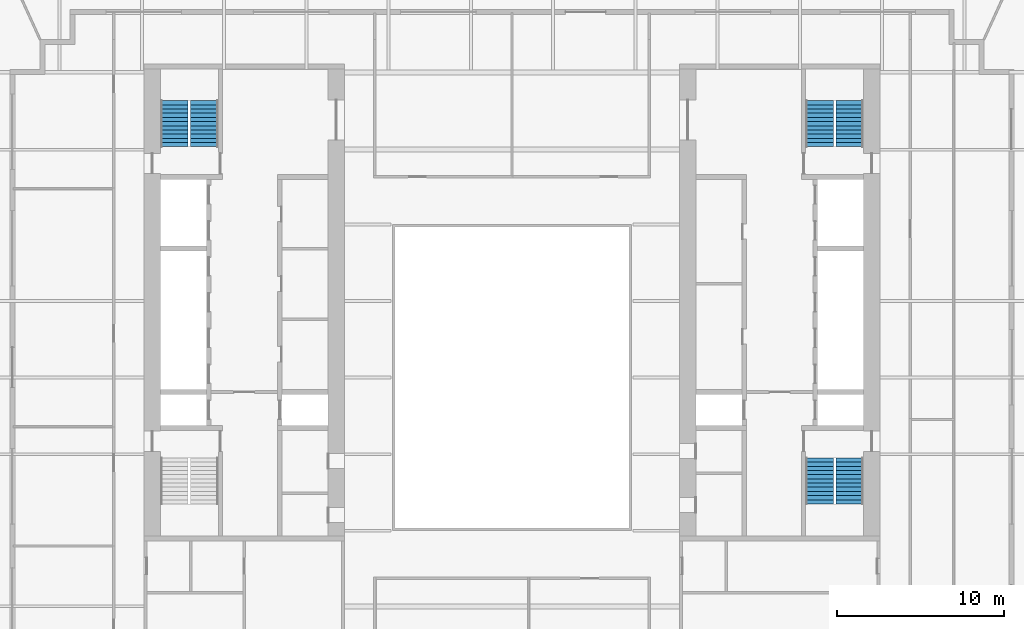
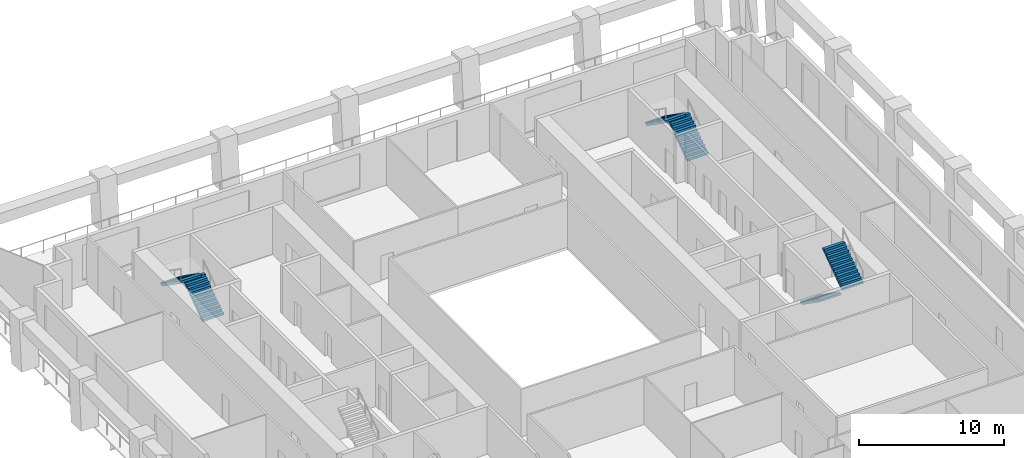
# One storey, part 8 of 10: 6 stair flights, 3 elements without a shape of their own.
"""IFC4 building model written with IfcOpenShell, lengths in metres."""

from ifc_helpers import new_model, si_unit, direction, frame, origin, place, context, subcontext, project, spatial, polyline, outline, extrude, material, type_object, element, aggregate, save


model = new_model("IFC4")

# Units and contexts
model_context = context("Model", 3, precision=1e-05, world=origin(), true_north=direction((0.0, 1.0)))
body_context = subcontext(model_context, "Body", "Model", "MODEL_VIEW")
ifc_project = project(units=[si_unit("LENGTHUNIT", "METRE"), si_unit("AREAUNIT", "SQUARE_METRE"), si_unit("VOLUMEUNIT", "CUBIC_METRE"), si_unit("PLANEANGLEUNIT", "RADIAN"), si_unit("MASSUNIT", "GRAM", prefix="KILO")], contexts=[model_context])

# Site, building, storey
site_placement = place(None, origin())
site = spatial("IfcSite", under=ifc_project, at=site_placement, CompositionType="ELEMENT")
building_placement = place(site_placement, origin())
building = spatial("IfcBuilding", under=site, at=building_placement, Name="Ogive Exchange Tower", CompositionType="ELEMENT")
storey_placement = place(building_placement, frame((0.0, 0.0, 64.800048828125)))
storey = spatial("IfcBuildingStorey", under=building, at=storey_placement, Name="L13", CompositionType="ELEMENT", Elevation=64.800048828125)

# Stair, stair flights
ifc_material = material(Name="Concrete C40/50", Category="concrete")
stair_type = type_object("IfcStairType", Name="Exit stair 1650 wide", PredefinedType="HALF_TURN_STAIR", material=ifc_material)
stair_1_placement = place(storey_placement, origin())
stair_1 = element("IfcStair", 1, at=stair_1_placement, inside=storey, type_object=stair_type, Name="L13 exit stair ST2", PredefinedType="HALF_TURN_STAIR")
stair_flight_type = type_object("IfcStairFlightType", Name="Stair flight 1650 wide", PredefinedType="STRAIGHT", material=ifc_material)
stair_flight_1_placement = place(storey_placement, frame((-18.375, 20.800048828125, 0.0), z_axis=(0.0, 0.0, 1.0), x_axis=(0.0, 1.0, 0.0)))
stair_flight_1 = element("IfcStairFlight", 2, at=stair_flight_1_placement, type_object=stair_flight_type, Name="ST2 flight 1", NumberOfRisers=12, NumberOfTreads=11, PredefinedType="STRAIGHT", RiserHeight=0.175, TreadLength=0.25, context=body_context, shape_type="SweptSolid", body=[
    extrude(outline(polyline([(0.0, 0.0), (0.0, 0.175048828125), (0.25, 0.175048828125), (0.25, 0.35009765625), (0.5, 0.35009765625), (0.5, 0.52490234375), (0.75, 0.52490234375), (0.75, 0.699951171875), (1.0, 0.699951171875), (1.0, 0.875), (1.25, 0.875), (1.25, 1.050048828125), (1.5, 1.050048828125), (1.5, 1.22509765625), (1.75, 1.22509765625), (1.75, 1.39990234375), (2.0, 1.39990234375), (2.0, 1.574951171875), (2.25, 1.574951171875), (2.25, 1.75), (2.5, 1.75), (2.5, 1.925048828125), (2.75, 1.925048828125), (2.75, 2.10009765625), (2.75, 1.741943359375), (0.261474609375, 0.0), (0.0, 0.0)])), frame((0.0, 0.824951171875, 0.0), z_axis=(0.0, -1.0, 0.0), x_axis=(1.0, 0.0, 0.0)), (0.0, 0.0, 1.0), 1.64990234375),
])
stair_flight_2_placement = place(storey_placement, frame((-20.175048828125, 23.550048828125, 2.099853515625), z_axis=(0.0, 0.0, 1.0), x_axis=(0.0, -1.0, 0.0)))
stair_flight_2 = element("IfcStairFlight", 3, at=stair_flight_2_placement, type_object=stair_flight_type, Name="ST2 flight 2", NumberOfRisers=12, NumberOfTreads=11, PredefinedType="STRAIGHT", RiserHeight=0.175, TreadLength=0.25, context=body_context, shape_type="SweptSolid", body=[
    extrude(outline(polyline([(0.0, 0.0), (0.0, 0.175048828125), (0.25, 0.175048828125), (0.25, 0.35009765625), (0.5, 0.35009765625), (0.5, 0.52490234375), (0.75, 0.52490234375), (0.75, 0.699951171875), (1.0, 0.699951171875), (1.0, 0.875), (1.25, 0.875), (1.25, 1.050048828125), (1.5, 1.050048828125), (1.5, 1.22509765625), (1.75, 1.22509765625), (1.75, 1.39990234375), (2.0, 1.39990234375), (2.0, 1.574951171875), (2.25, 1.574951171875), (2.25, 1.75), (2.5, 1.75), (2.5, 1.925048828125), (2.75, 1.925048828125), (2.75, 2.10009765625), (2.75, 1.741943359375), (0.261474609375, 0.0), (0.0, 0.0)])), frame((0.0, 0.824951171875, 0.0), z_axis=(0.0, -1.0, 0.0), x_axis=(1.0, 0.0, 0.0)), (0.0, 0.0, 1.0), 1.64990234375),
])
aggregate(stair_1, [stair_flight_1, stair_flight_2])

stair_2_placement = place(storey_placement, origin())
stair_2 = element("IfcStair", 4, at=stair_2_placement, inside=storey, type_object=stair_type, Name="L13 exit stair ST3", PredefinedType="HALF_TURN_STAIR")
stair_flight_3_placement = place(storey_placement, frame((18.375, 2.199951171875, 0.0), z_axis=(0.0, 0.0, 1.0), x_axis=(0.0, -1.0, 0.0)))
stair_flight_3 = element("IfcStairFlight", 5, at=stair_flight_3_placement, type_object=stair_flight_type, Name="ST3 flight 1", NumberOfRisers=12, NumberOfTreads=11, PredefinedType="STRAIGHT", RiserHeight=0.175, TreadLength=0.25, context=body_context, shape_type="SweptSolid", body=[
    extrude(outline(polyline([(0.0, 0.0), (0.0, 0.175048828125), (0.25, 0.175048828125), (0.25, 0.35009765625), (0.5, 0.35009765625), (0.5, 0.52490234375), (0.75, 0.52490234375), (0.75, 0.699951171875), (1.0, 0.699951171875), (1.0, 0.875), (1.25, 0.875), (1.25, 1.050048828125), (1.5, 1.050048828125), (1.5, 1.22509765625), (1.75, 1.22509765625), (1.75, 1.39990234375), (2.0, 1.39990234375), (2.0, 1.574951171875), (2.25, 1.574951171875), (2.25, 1.75), (2.5, 1.75), (2.5, 1.925048828125), (2.75, 1.925048828125), (2.75, 2.10009765625), (2.75, 1.741943359375), (0.261474609375, 0.0), (0.0, 0.0)])), frame((0.0, 0.824951171875, 0.0), z_axis=(0.0, -1.0, 0.0), x_axis=(1.0, 0.0, 0.0)), (0.0, 0.0, 1.0), 1.64990234375),
])
stair_flight_4_placement = place(storey_placement, frame((20.175048828125, -0.550048828125, 2.099853515625), z_axis=(0.0, 0.0, 1.0), x_axis=(0.0, 1.0, 0.0)))
stair_flight_4 = element("IfcStairFlight", 6, at=stair_flight_4_placement, type_object=stair_flight_type, Name="ST3 flight 2", NumberOfRisers=12, NumberOfTreads=11, PredefinedType="STRAIGHT", RiserHeight=0.175, TreadLength=0.25, context=body_context, shape_type="SweptSolid", body=[
    extrude(outline(polyline([(0.0, 0.0), (0.0, 0.175048828125), (0.25, 0.175048828125), (0.25, 0.35009765625), (0.5, 0.35009765625), (0.5, 0.52490234375), (0.75, 0.52490234375), (0.75, 0.699951171875), (1.0, 0.699951171875), (1.0, 0.875), (1.25, 0.875), (1.25, 1.050048828125), (1.5, 1.050048828125), (1.5, 1.22509765625), (1.75, 1.22509765625), (1.75, 1.39990234375), (2.0, 1.39990234375), (2.0, 1.574951171875), (2.25, 1.574951171875), (2.25, 1.75), (2.5, 1.75), (2.5, 1.925048828125), (2.75, 1.925048828125), (2.75, 2.10009765625), (2.75, 1.741943359375), (0.261474609375, 0.0), (0.0, 0.0)])), frame((0.0, 0.824951171875, 0.0), z_axis=(0.0, -1.0, 0.0), x_axis=(1.0, 0.0, 0.0)), (0.0, 0.0, 1.0), 1.64990234375),
])
aggregate(stair_2, [stair_flight_3, stair_flight_4])

stair_3_placement = place(storey_placement, origin())
stair_3 = element("IfcStair", 7, at=stair_3_placement, inside=storey, type_object=stair_type, Name="L13 exit stair ST4", PredefinedType="HALF_TURN_STAIR")
stair_flight_5_placement = place(storey_placement, frame((20.175048828125, 20.800048828125, 0.0), z_axis=(0.0, 0.0, 1.0), x_axis=(0.0, 1.0, 0.0)))
stair_flight_5 = element("IfcStairFlight", 8, at=stair_flight_5_placement, type_object=stair_flight_type, Name="ST4 flight 1", NumberOfRisers=12, NumberOfTreads=11, PredefinedType="STRAIGHT", RiserHeight=0.175, TreadLength=0.25, context=body_context, shape_type="SweptSolid", body=[
    extrude(outline(polyline([(0.0, 0.0), (0.0, 0.175048828125), (0.25, 0.175048828125), (0.25, 0.35009765625), (0.5, 0.35009765625), (0.5, 0.52490234375), (0.75, 0.52490234375), (0.75, 0.699951171875), (1.0, 0.699951171875), (1.0, 0.875), (1.25, 0.875), (1.25, 1.050048828125), (1.5, 1.050048828125), (1.5, 1.22509765625), (1.75, 1.22509765625), (1.75, 1.39990234375), (2.0, 1.39990234375), (2.0, 1.574951171875), (2.25, 1.574951171875), (2.25, 1.75), (2.5, 1.75), (2.5, 1.925048828125), (2.75, 1.925048828125), (2.75, 2.10009765625), (2.75, 1.741943359375), (0.261474609375, 0.0), (0.0, 0.0)])), frame((0.0, 0.824951171875, 0.0), z_axis=(0.0, -1.0, 0.0), x_axis=(1.0, 0.0, 0.0)), (0.0, 0.0, 1.0), 1.64990234375),
])
stair_flight_6_placement = place(storey_placement, frame((18.375, 23.550048828125, 2.099853515625), z_axis=(0.0, 0.0, 1.0), x_axis=(0.0, -1.0, 0.0)))
stair_flight_6 = element("IfcStairFlight", 9, at=stair_flight_6_placement, type_object=stair_flight_type, Name="ST4 flight 2", NumberOfRisers=12, NumberOfTreads=11, PredefinedType="STRAIGHT", RiserHeight=0.175, TreadLength=0.25, context=body_context, shape_type="SweptSolid", body=[
    extrude(outline(polyline([(0.0, 0.0), (0.0, 0.175048828125), (0.25, 0.175048828125), (0.25, 0.35009765625), (0.5, 0.35009765625), (0.5, 0.52490234375), (0.75, 0.52490234375), (0.75, 0.699951171875), (1.0, 0.699951171875), (1.0, 0.875), (1.25, 0.875), (1.25, 1.050048828125), (1.5, 1.050048828125), (1.5, 1.22509765625), (1.75, 1.22509765625), (1.75, 1.39990234375), (2.0, 1.39990234375), (2.0, 1.574951171875), (2.25, 1.574951171875), (2.25, 1.75), (2.5, 1.75), (2.5, 1.925048828125), (2.75, 1.925048828125), (2.75, 2.10009765625), (2.75, 1.741943359375), (0.261474609375, 0.0), (0.0, 0.0)])), frame((0.0, 0.824951171875, 0.0), z_axis=(0.0, -1.0, 0.0), x_axis=(1.0, 0.0, 0.0)), (0.0, 0.0, 1.0), 1.64990234375),
])
aggregate(stair_3, [stair_flight_5, stair_flight_6])

save(model, "model.ifc")
